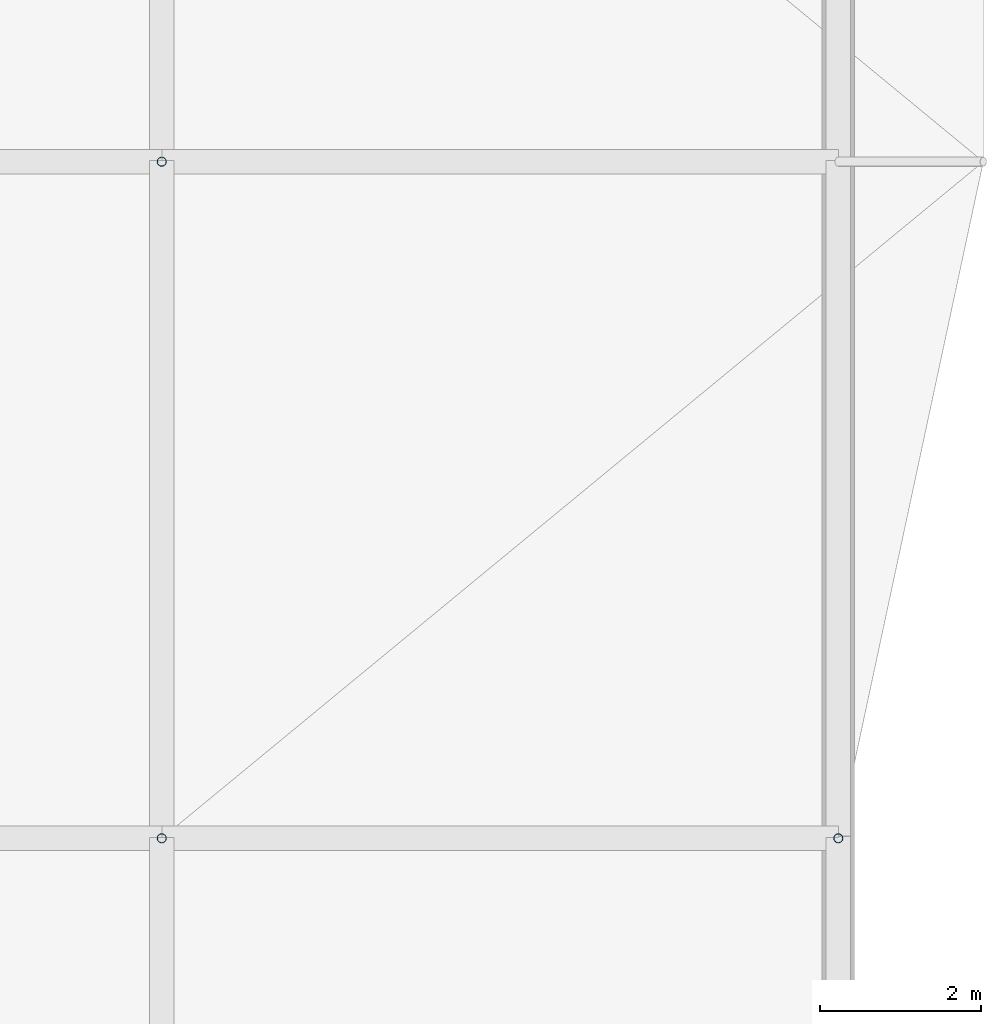
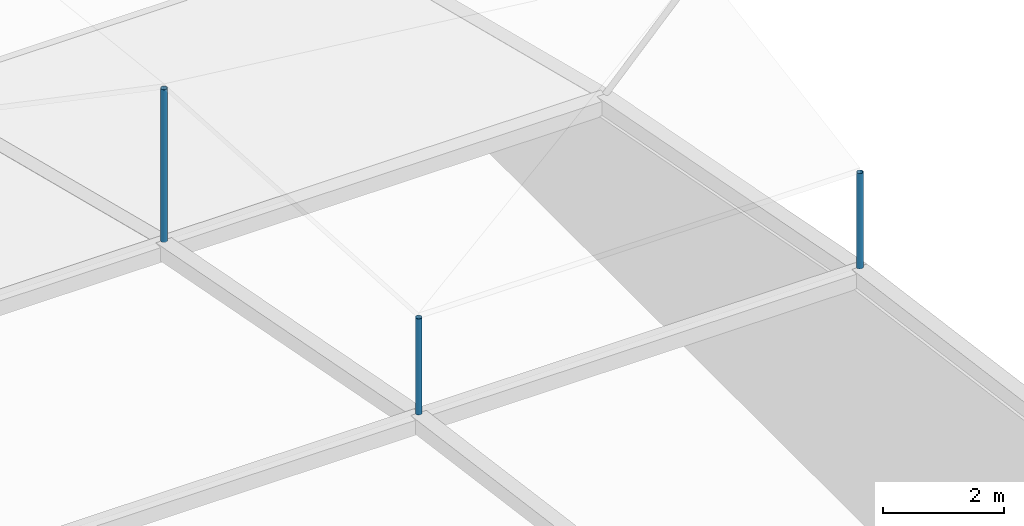
# One storey, part 62 of 111: 3 discrete accessories.
"""IFC4 building model written with IfcOpenShell, lengths in metres."""

from ifc_helpers import new_model, si_unit, direction, frame, origin, origin_2d, place, context, subcontext, project, spatial, hollow_circle, extrude, material, material_profile, profile_set, type_object, element, save


model = new_model("IFC4")

# Units and contexts
model_context = context("Model", 3, precision=1e-05, world=origin(), true_north=direction((0.0, 1.0)))
body_context = subcontext(model_context, "Body", "Model", "MODEL_VIEW")
ifc_project = project(units=[si_unit("LENGTHUNIT", "METRE"), si_unit("AREAUNIT", "SQUARE_METRE"), si_unit("VOLUMEUNIT", "CUBIC_METRE"), si_unit("PLANEANGLEUNIT", "RADIAN"), si_unit("MASSUNIT", "GRAM", prefix="KILO")], contexts=[model_context])

# Site, building, storey
site_placement = place(None, origin())
site = spatial("IfcSite", under=ifc_project, at=site_placement, CompositionType="ELEMENT")
building_placement = place(site_placement, origin())
building = spatial("IfcBuilding", under=site, at=building_placement, Name="Rain Tree Exposition and Congress Centre", CompositionType="ELEMENT")
storey_placement = place(building_placement, frame((0.0, 0.0, 19.5)))
storey = spatial("IfcBuildingStorey", under=building, at=storey_placement, Name="RF", CompositionType="ELEMENT", Elevation=19.5)

# Discrete accessories
ifc_material = material(Name="Steel S355J2H", Category="steel")
ifc_material_profile = material_profile(ifc_material, hollow_circle(Radius=0.05712890625, WallThickness=0.00439453125, at=origin_2d()), Name="CHS 114x4.5")
ifc_profile_set = profile_set([ifc_material_profile], Name="Steel S355J2H")
discrete_accessory_type = type_object("IfcDiscreteAccessoryType", Name="Roof skin post CHS 114x4.5", PredefinedType="BRACKET", material=ifc_profile_set)
discrete_accessory_1_placement = place(storey_placement, frame((117.60009765625, 176.39990234375, 4.843017578125), z_axis=(0.0, 0.0, 1.0), x_axis=(1.0, 0.0, 0.0)))
element("IfcDiscreteAccessory", 1, at=discrete_accessory_1_placement, inside=storey, type_object=discrete_accessory_type, Name="Roof skin post A149", PredefinedType="BRACKET", context=body_context, shape_type="SweptSolid", body=[
    extrude(hollow_circle(Radius=0.05712890625, WallThickness=0.00439453125, at=origin_2d()), origin(), (0.0, 0.0, 1.0), 1.9375),
])
discrete_accessory_2_placement = place(storey_placement, frame((126.0, 176.39990234375, 4.843017578125), z_axis=(0.0, 0.0, 1.0), x_axis=(1.0, 0.0, 0.0)))
element("IfcDiscreteAccessory", 2, at=discrete_accessory_2_placement, inside=storey, type_object=discrete_accessory_type, Name="Roof skin post A150", PredefinedType="BRACKET", context=body_context, shape_type="SweptSolid", body=[
    extrude(hollow_circle(Radius=0.05712890625, WallThickness=0.00439453125, at=origin_2d()), origin(), (0.0, 0.0, 1.0), 1.920166015625),
])
discrete_accessory_3_placement = place(storey_placement, frame((117.60009765625, 184.800048828125, 3.22412109375), z_axis=(0.0, 0.0, 1.0), x_axis=(1.0, 0.0, 0.0)))
element("IfcDiscreteAccessory", 3, at=discrete_accessory_3_placement, inside=storey, type_object=discrete_accessory_type, Name="Roof skin post A164", PredefinedType="BRACKET", context=body_context, shape_type="SweptSolid", body=[
    extrude(hollow_circle(Radius=0.05712890625, WallThickness=0.00439453125, at=origin_2d()), origin(), (0.0, 0.0, 1.0), 3.07470703125),
])

save(model, "model.ifc")
